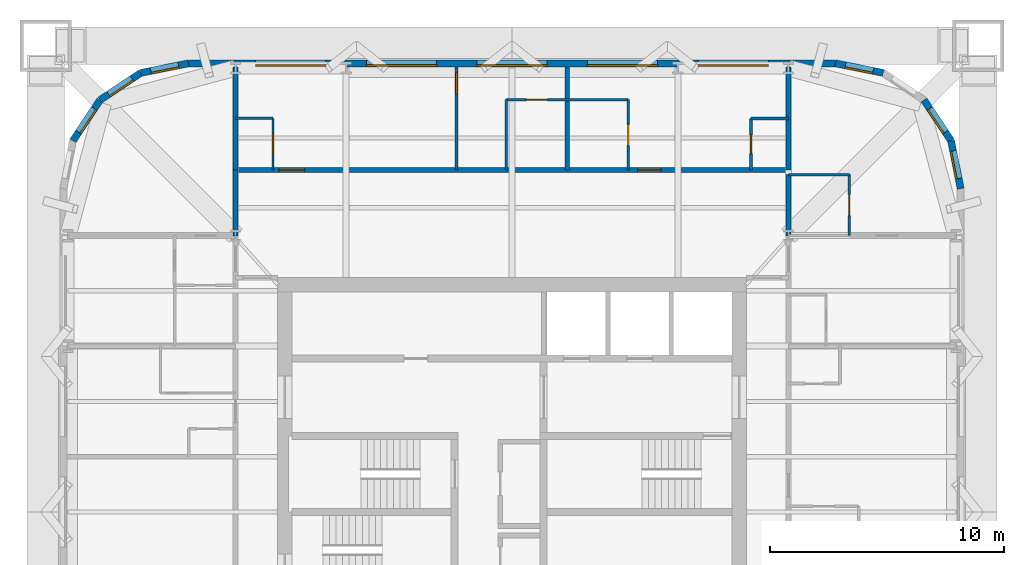
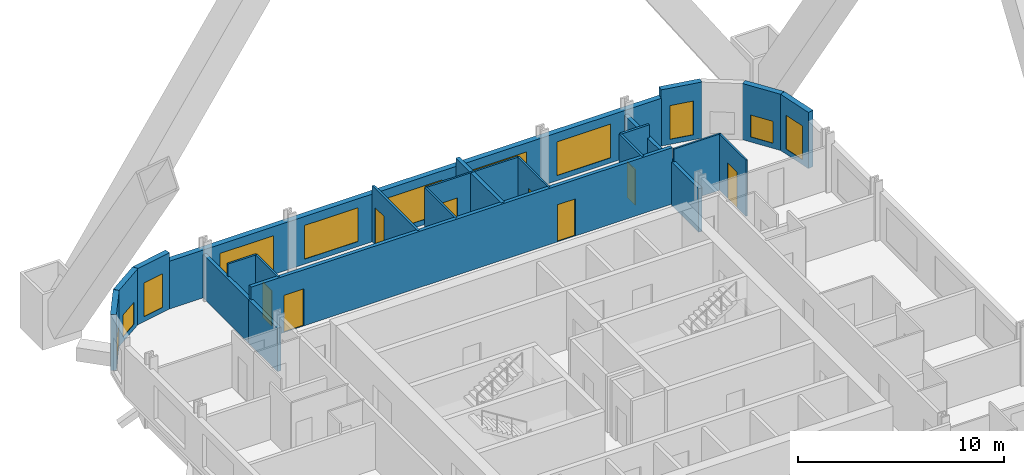
# One storey, part 7 of 9: 23 walls, 11 windows, 8 doors, 19 openings.
"""IFC4 building model written with IfcOpenShell, lengths in metres."""

from ifc_helpers import new_model, si_unit, direction, frame, frame_2d, origin, place, context, subcontext, project, spatial, rectangle, extrude, material, layer, layer_set, type_object, element, fill, save


model = new_model("IFC4")

# Units and contexts
model_context = context("Model", 3, precision=1e-05, world=origin(), true_north=direction((0.0, 1.0)))
body_context = subcontext(model_context, "Body", "Model", "MODEL_VIEW")
ifc_project = project(units=[si_unit("LENGTHUNIT", "METRE"), si_unit("AREAUNIT", "SQUARE_METRE"), si_unit("VOLUMEUNIT", "CUBIC_METRE"), si_unit("PLANEANGLEUNIT", "RADIAN"), si_unit("MASSUNIT", "GRAM", prefix="KILO")], contexts=[model_context])

# Site, building, storey
site_placement = place(None, origin())
site = spatial("IfcSite", under=ifc_project, at=site_placement, CompositionType="ELEMENT")
building_placement = place(site_placement, origin())
building = spatial("IfcBuilding", under=site, at=building_placement, Name="Turquesa Mirador Hotel Tower", CompositionType="ELEMENT")
storey_placement = place(building_placement, frame((0.0, 0.0, 161.800048828125)))
storey = spatial("IfcBuildingStorey", under=building, at=storey_placement, Name="L43", CompositionType="ELEMENT", Elevation=161.800048828125)

# Walls
ifc_material_1 = material(Name="Gypsum board on steel studs", Category="steel")
ifc_layer_1 = layer(ifc_material_1, 0.10009765625)
ifc_layer_set_1 = layer_set([ifc_layer_1], Name="BATHROOM WALL 100")
wall_type_1 = type_object("IfcWallType", Name="BATHROOM WALL 100", PredefinedType="PARTITIONING", material=ifc_layer_set_1)
wall_1_placement = place(storey_placement, frame((66.800048828125, 59.39990234375, 0.0), z_axis=(0.0, 0.0, 1.0), x_axis=(1.0, 0.0, 0.0)))
element("IfcWall", 1, at=wall_1_placement, inside=storey, type_object=wall_type_1, Name="Partition L43 026", PredefinedType="PARTITIONING", context=body_context, shape_type="SweptSolid", body=[
    extrude(rectangle(XDim=2.599853515625, YDim=0.10009765625, at=frame_2d((1.2998046875, 0.0))), origin(), (0.0, 0.0, 1.0), 3.329833984375),
])
wall_2_placement = place(storey_placement, frame((43.199951171875, 61.800048828125, 0.0), z_axis=(0.0, 0.0, 1.0), x_axis=(1.0, 0.0, 0.0)))
element("IfcWall", 2, at=wall_2_placement, inside=storey, type_object=wall_type_1, Name="Partition L43 028", PredefinedType="PARTITIONING", context=body_context, shape_type="SweptSolid", body=[
    extrude(rectangle(XDim=1.60009765625, YDim=0.10009765625, at=frame_2d((0.800048828125, 0.0))), origin(), (0.0, 0.0, 1.0), 3.329833984375),
])

# Wall, opening, door
wall_3_placement = place(storey_placement, frame((54.760009765625, 62.60009765625, 0.0), z_axis=(0.0, 0.0, 1.0), x_axis=(1.0, 0.0, 0.0)))
wall_3 = element("IfcWall", 3, at=wall_3_placement, inside=storey, type_object=wall_type_1, Name="Partition L43 030", PredefinedType="PARTITIONING", context=body_context, shape_type="SweptSolid", body=[
    extrude(rectangle(XDim=5.199951171875, YDim=0.10009765625, at=frame_2d((2.60009765625, 0.0))), origin(), (0.0, 0.0, 1.0), 3.329833984375),
])
opening_1_placement = place(wall_3_placement, frame((0.85009765625, 0.0, 0.0)))
opening_1 = element("IfcOpeningElement", 4, at=opening_1_placement, cuts=wall_3, Name="Opening D02", PredefinedType="OPENING", context=body_context, shape_type="SweptSolid", body=[
    extrude(rectangle(XDim=0.89990234375, YDim=2.10009765625, at=frame_2d((0.449951171875, 1.050048828125))), frame((0.0, 0.06005859375, 0.0), z_axis=(0.0, -1.0, 0.0), x_axis=(1.0, 0.0, 0.0)), (0.0, 0.0, 1.0), 0.1201171875),
])
ifc_material_2 = material(Name="Timber veneered door", Category="wood")
door_type_1 = type_object("IfcDoorType", Name="DOOR 900X2100 EN-SUITE", OperationType="SINGLE_SWING_RIGHT", PredefinedType="DOOR", material=ifc_material_2)
door_1_placement = place(opening_1_placement, origin())
door_1 = element("IfcDoor", 5, at=door_1_placement, inside=storey, type_object=door_type_1, Name="Door 4301B", OperationType="SINGLE_SWING_RIGHT", OverallHeight=2.10009765625, OverallWidth=0.89990234375, PredefinedType="DOOR", context=body_context, shape_type="SweptSolid", body=[
    extrude(rectangle(XDim=0.89990234375, YDim=2.10009765625, at=frame_2d((0.449951171875, 1.050048828125))), frame((0.0, 0.02490234375, 0.0), z_axis=(0.0, -1.0, 0.0), x_axis=(1.0, 0.0, 0.0)), (0.0, 0.0, 1.0), 0.050048828125),
])
fill(opening_1, door_1)

# Wall
wall_4_placement = place(storey_placement, frame((54.760009765625, 59.60009765625, 0.0), z_axis=(0.0, 0.0, 1.0), x_axis=(0.0, 1.0, 0.0)))
element("IfcWall", 6, at=wall_4_placement, inside=storey, type_object=wall_type_1, Name="Partition L43 039", PredefinedType="PARTITIONING", context=body_context, shape_type="SweptSolid", body=[
    extrude(rectangle(XDim=3.0, YDim=0.10009765625, at=frame_2d((1.5, 0.0))), origin(), (0.0, 0.0, 1.0), 3.329833984375),
])

# Wall, opening, door
wall_5_placement = place(storey_placement, frame((44.800048828125, 59.60009765625, 0.0), z_axis=(0.0, 0.0, 1.0), x_axis=(0.0, 1.0, 0.0)))
wall_5 = element("IfcWall", 7, at=wall_5_placement, inside=storey, type_object=wall_type_1, Name="Partition L43 041", PredefinedType="PARTITIONING", context=body_context, shape_type="SweptSolid", body=[
    extrude(rectangle(XDim=2.199951171875, YDim=0.10009765625, at=frame_2d((1.10009765625, 0.0))), origin(), (0.0, 0.0, 1.0), 3.329833984375),
])
opening_2_placement = place(wall_5_placement, frame((0.64990234375, 0.0, 0.0)))
opening_2 = element("IfcOpeningElement", 8, at=opening_2_placement, cuts=wall_5, Name="Opening D06", PredefinedType="OPENING", context=body_context, shape_type="SweptSolid", body=[
    extrude(rectangle(XDim=0.89990234375, YDim=2.10009765625, at=frame_2d((0.449951171875, 1.050048828125))), frame((0.0, 0.06005859375, 0.0), z_axis=(0.0, -1.0, 0.0), x_axis=(1.0, 0.0, 0.0)), (0.0, 0.0, 1.0), 0.1201171875),
])
ifc_material_3 = material(Name="Laminate door", Category="wood")
door_type_2 = type_object("IfcDoorType", Name="DOOR 900X2100 WC", OperationType="SINGLE_SWING_LEFT", PredefinedType="DOOR", material=ifc_material_3)
door_2_placement = place(opening_2_placement, origin())
door_2 = element("IfcDoor", 9, at=door_2_placement, inside=storey, type_object=door_type_2, Name="Door 4301W", OperationType="SINGLE_SWING_LEFT", OverallHeight=2.10009765625, OverallWidth=0.89990234375, PredefinedType="DOOR", context=body_context, shape_type="SweptSolid", body=[
    extrude(rectangle(XDim=0.89990234375, YDim=2.10009765625, at=frame_2d((0.449951171875, 1.050048828125))), frame((0.0, 0.02490234375, 0.0), z_axis=(0.0, -1.0, 0.0), x_axis=(1.0, 0.0, 0.0)), (0.0, 0.0, 1.0), 0.050048828125),
])
fill(opening_2, door_2)

wall_6_placement = place(storey_placement, frame((69.39990234375, 56.800048828125, 0.0), z_axis=(0.0, 0.0, 1.0), x_axis=(0.0, 1.0, 0.0)))
wall_6 = element("IfcWall", 10, at=wall_6_placement, inside=storey, type_object=wall_type_1, Name="Partition L43 066", PredefinedType="PARTITIONING", context=body_context, shape_type="SweptSolid", body=[
    extrude(rectangle(XDim=2.599853515625, YDim=0.10009765625, at=frame_2d((1.2998046875, 0.0))), origin(), (0.0, 0.0, 1.0), 3.329833984375),
])
opening_3_placement = place(wall_6_placement, frame((0.85009765625, 0.0, 0.0)))
opening_3 = element("IfcOpeningElement", 11, at=opening_3_placement, cuts=wall_6, Name="Opening D02", PredefinedType="OPENING", context=body_context, shape_type="SweptSolid", body=[
    extrude(rectangle(XDim=0.89990234375, YDim=2.10009765625, at=frame_2d((0.449951171875, 1.050048828125))), frame((0.0, 0.06005859375, 0.0), z_axis=(0.0, -1.0, 0.0), x_axis=(1.0, 0.0, 0.0)), (0.0, 0.0, 1.0), 0.1201171875),
])
door_3_placement = place(opening_3_placement, origin())
door_3 = element("IfcDoor", 12, at=door_3_placement, inside=storey, type_object=door_type_1, Name="Door 4309B", OperationType="SINGLE_SWING_RIGHT", OverallHeight=2.10009765625, OverallWidth=0.89990234375, PredefinedType="DOOR", context=body_context, shape_type="SweptSolid", body=[
    extrude(rectangle(XDim=0.89990234375, YDim=2.10009765625, at=frame_2d((0.449951171875, 1.050048828125))), frame((0.0, 0.02490234375, 0.0), z_axis=(0.0, -1.0, 0.0), x_axis=(1.0, 0.0, 0.0)), (0.0, 0.0, 1.0), 0.050048828125),
])
fill(opening_3, door_3)

wall_7_placement = place(storey_placement, frame((59.9599609375, 59.60009765625, 0.0), z_axis=(0.0, 0.0, 1.0), x_axis=(0.0, 1.0, 0.0)))
wall_7 = element("IfcWall", 13, at=wall_7_placement, inside=storey, type_object=wall_type_1, Name="Partition L43 072", PredefinedType="PARTITIONING", context=body_context, shape_type="SweptSolid", body=[
    extrude(rectangle(XDim=3.0, YDim=0.10009765625, at=frame_2d((1.5, 0.0))), origin(), (0.0, 0.0, 1.0), 3.329833984375),
])
opening_4_placement = place(wall_7_placement, frame((1.050048828125, 0.0, 0.0)))
opening_4 = element("IfcOpeningElement", 14, at=opening_4_placement, cuts=wall_7, Name="Opening D02", PredefinedType="OPENING", context=body_context, shape_type="SweptSolid", body=[
    extrude(rectangle(XDim=0.89990234375, YDim=2.10009765625, at=frame_2d((0.449951171875, 1.050048828125))), frame((0.0, 0.06005859375, 0.0), z_axis=(0.0, -1.0, 0.0), x_axis=(1.0, 0.0, 0.0)), (0.0, 0.0, 1.0), 0.1201171875),
])
door_4_placement = place(opening_4_placement, origin())
door_4 = element("IfcDoor", 15, at=door_4_placement, inside=storey, type_object=door_type_1, Name="Door 4302B", OperationType="SINGLE_SWING_RIGHT", OverallHeight=2.10009765625, OverallWidth=0.89990234375, PredefinedType="DOOR", context=body_context, shape_type="SweptSolid", body=[
    extrude(rectangle(XDim=0.89990234375, YDim=2.10009765625, at=frame_2d((0.449951171875, 1.050048828125))), frame((0.0, 0.02490234375, 0.0), z_axis=(0.0, -1.0, 0.0), x_axis=(1.0, 0.0, 0.0)), (0.0, 0.0, 1.0), 0.050048828125),
])
fill(opening_4, door_4)

# Wall, openings, doors
ifc_material_4 = material(Name="Fire-rated gypsum board on steel studs", Category="steel")
ifc_layer_2 = layer(ifc_material_4, 0.199951171875)
ifc_layer_set_2 = layer_set([ifc_layer_2], Name="CORRIDOR WALL 200")
wall_type_2 = type_object("IfcWallType", Name="CORRIDOR WALL 200", PredefinedType="PARTITIONING", material=ifc_layer_set_2)
wall_8_placement = place(storey_placement, frame((43.199951171875, 59.60009765625, 0.0), z_axis=(0.0, 0.0, 1.0), x_axis=(1.0, 0.0, 0.0)))
wall_8 = element("IfcWall", 16, at=wall_8_placement, inside=storey, type_object=wall_type_2, Name="Partition L43 027", PredefinedType="PARTITIONING", context=body_context, shape_type="SweptSolid", body=[
    extrude(rectangle(XDim=23.60009765625, YDim=0.199951171875, at=frame_2d((11.800048828125, 0.0))), origin(), (0.0, 0.0, 1.0), 3.329833984375),
])
opening_5_placement = place(wall_8_placement, frame((1.85009765625, 0.0, 0.0)))
opening_5 = element("IfcOpeningElement", 17, at=opening_5_placement, cuts=wall_8, Name="Opening D15", PredefinedType="OPENING", context=body_context, shape_type="SweptSolid", body=[
    extrude(rectangle(XDim=1.10009765625, YDim=2.199951171875, at=frame_2d((0.550048828125, 1.10009765625))), frame((0.0, 0.10986328125, 0.0), z_axis=(0.0, -1.0, 0.0), x_axis=(1.0, 0.0, 0.0)), (0.0, 0.0, 1.0), 0.219970703125),
])
opening_6_placement = place(wall_8_placement, frame((17.159912109375, 0.0, 0.0)))
opening_6 = element("IfcOpeningElement", 18, at=opening_6_placement, cuts=wall_8, Name="Opening D01", PredefinedType="OPENING", context=body_context, shape_type="SweptSolid", body=[
    extrude(rectangle(XDim=1.0, YDim=2.199951171875, at=frame_2d((0.5, 1.10009765625))), frame((0.0, 0.10986328125, 0.0), z_axis=(0.0, -1.0, 0.0), x_axis=(1.0, 0.0, 0.0)), (0.0, 0.0, 1.0), 0.219970703125),
])
ifc_material_5 = material(Name="Timber veneered fire door", Category="wood")
door_type_3 = type_object("IfcDoorType", Name="DOOR 1000X2200 GUEST ENTRY", OperationType="SINGLE_SWING_LEFT", PredefinedType="DOOR", material=ifc_material_5)
door_5_placement = place(opening_6_placement, origin())
door_5 = element("IfcDoor", 19, at=door_5_placement, inside=storey, type_object=door_type_3, Name="Door 4302", OperationType="SINGLE_SWING_LEFT", OverallHeight=2.199951171875, OverallWidth=1.0, PredefinedType="DOOR", context=body_context, shape_type="SweptSolid", body=[
    extrude(rectangle(XDim=1.0, YDim=2.199951171875, at=frame_2d((0.5, 1.10009765625))), frame((0.0, 0.02490234375, 0.0), z_axis=(0.0, -1.0, 0.0), x_axis=(1.0, 0.0, 0.0)), (0.0, 0.0, 1.0), 0.050048828125),
])
fill(opening_6, door_5)
ifc_material_6 = material(Name="Timber veneered fire door", Category="wood")
door_type_4 = type_object("IfcDoorType", Name="DOOR 1100X2200 SUITE ENTRY", OperationType="SINGLE_SWING_LEFT", PredefinedType="DOOR", material=ifc_material_6)
door_6_placement = place(opening_5_placement, origin())
door_6 = element("IfcDoor", 20, at=door_6_placement, inside=storey, type_object=door_type_4, Name="Door 4301", OperationType="SINGLE_SWING_LEFT", OverallHeight=2.199951171875, OverallWidth=1.10009765625, PredefinedType="DOOR", context=body_context, shape_type="SweptSolid", body=[
    extrude(rectangle(XDim=1.10009765625, YDim=2.199951171875, at=frame_2d((0.550048828125, 1.10009765625))), frame((0.0, 0.02490234375, 0.0), z_axis=(0.0, -1.0, 0.0), x_axis=(1.0, 0.0, 0.0)), (0.0, 0.0, 1.0), 0.050048828125),
])
fill(opening_5, door_6)

# Walls
wall_9_placement = place(storey_placement, frame((43.199951171875, 56.780029296875, 0.0), z_axis=(0.0, 0.0, 1.0), x_axis=(0.0, 1.0, 0.0)))
element("IfcWall", 21, at=wall_9_placement, inside=storey, type_object=wall_type_2, Name="Partition L43 074", PredefinedType="PARTITIONING", context=body_context, shape_type="SweptSolid", body=[
    extrude(rectangle(XDim=2.820068359375, YDim=0.199951171875, at=frame_2d((1.41015625, 0.0))), origin(), (0.0, 0.0, 1.0), 2.572998046875),
])
wall_10_placement = place(storey_placement, frame((66.800048828125, 56.780029296875, 0.0), z_axis=(0.0, 0.0, 1.0), x_axis=(0.0, 1.0, 0.0)))
element("IfcWall", 22, at=wall_10_placement, inside=storey, type_object=wall_type_2, Name="Partition L43 076", PredefinedType="PARTITIONING", context=body_context, shape_type="SweptSolid", body=[
    extrude(rectangle(XDim=2.619873046875, YDim=0.199951171875, at=frame_2d((1.31005859375, 0.0))), origin(), (0.0, 0.0, 1.0), 2.572998046875),
])

# Wall, opening, window
ifc_material_7 = material(Name="Limestone cladding on concrete block", Category="masonry")
ifc_layer_3 = layer(ifc_material_7, 0.300048828125)
ifc_layer_set_3 = layer_set([ifc_layer_3], Name="FACADE WALL 300 STONE SCREEN")
wall_type_3 = type_object("IfcWallType", Name="FACADE WALL 300 STONE SCREEN", PredefinedType="SOLIDWALL", material=ifc_layer_set_3)
wall_11_placement = place(storey_placement, frame((74.14990234375, 58.800048828125, 0.0), z_axis=(0.0, 0.0, 1.0), x_axis=(-0.195081421501, 0.980787050784, 0.0)))
wall_11 = element("IfcWall", 23, at=wall_11_placement, inside=storey, type_object=wall_type_3, Name="Facade wall L43 05", PredefinedType="SOLIDWALL", context=body_context, shape_type="SweptSolid", body=[
    extrude(rectangle(XDim=2.08740234375, YDim=0.300048828125, at=frame_2d((1.043701171875, 0.0))), origin(), (0.0, 0.0, 1.0), 3.329833984375),
])
opening_7_placement = place(wall_11_placement, frame((0.443603515625, 0.0, 0.300048828125)))
opening_7 = element("IfcOpeningElement", 24, at=opening_7_placement, cuts=wall_11, Name="Opening WN4", PredefinedType="OPENING", context=body_context, shape_type="SweptSolid", body=[
    extrude(rectangle(XDim=1.199951171875, YDim=2.0, at=frame_2d((0.60009765625, 1.0))), frame((0.0, 0.159912109375, 0.0), z_axis=(0.0, -1.0, 0.0), x_axis=(1.0, 0.0, 0.0)), (0.0, 0.0, 1.0), 0.320068359375),
])
ifc_material_8 = material(Name="Ceramic-fritted laminated glass", Category="glass")
window_type_1 = type_object("IfcWindowType", Name="FRITTED CORNER WINDOW 1200X2000", PartitioningType="DOUBLE_PANEL_HORIZONTAL", PredefinedType="WINDOW", material=ifc_material_8)
window_1_placement = place(opening_7_placement, origin())
window_1 = element("IfcWindow", 25, at=window_1_placement, inside=storey, type_object=window_type_1, Name="Window L43", OverallHeight=2.0, OverallWidth=1.199951171875, PartitioningType="SINGLE_PANEL", PredefinedType="WINDOW", context=body_context, shape_type="SweptSolid", body=[
    extrude(rectangle(XDim=1.199951171875, YDim=2.0, at=frame_2d((0.60009765625, 1.0))), frame((0.0, 0.130126953125, 0.0), z_axis=(0.0, -1.0, 0.0), x_axis=(1.0, 0.0, 0.0)), (0.0, 0.0, 1.0), 0.06005859375),
])
fill(opening_7, window_1)

wall_12_placement = place(storey_placement, frame((73.74267578125, 60.847412109375, 0.0), z_axis=(0.0, 0.0, 1.0), x_axis=(-0.555563607591, 0.831474039234, 0.0)))
wall_12 = element("IfcWall", 26, at=wall_12_placement, inside=storey, type_object=wall_type_3, Name="Facade wall L43 06", PredefinedType="SOLIDWALL", context=body_context, shape_type="SweptSolid", body=[
    extrude(rectangle(XDim=2.08740234375, YDim=0.300048828125, at=frame_2d((1.043701171875, 0.0))), origin(), (0.0, 0.0, 1.0), 3.329833984375),
])
opening_8_placement = place(wall_12_placement, frame((0.443603515625, 0.0, 0.300048828125)))
opening_8 = element("IfcOpeningElement", 27, at=opening_8_placement, cuts=wall_12, Name="Opening WN24", PredefinedType="OPENING", context=body_context, shape_type="SweptSolid", body=[
    extrude(rectangle(XDim=1.199951171875, YDim=1.300048828125, at=frame_2d((0.60009765625, 0.64990234375))), frame((0.0, 0.159912109375, 0.0), z_axis=(0.0, -1.0, 0.0), x_axis=(1.0, 0.0, 0.0)), (0.0, 0.0, 1.0), 0.320068359375),
])
ifc_material_9 = material(Name="Ceramic-fritted laminated glass", Category="glass")
window_type_2 = type_object("IfcWindowType", Name="FRITTED CORNER WINDOW 1200X1300", PartitioningType="DOUBLE_PANEL_HORIZONTAL", PredefinedType="WINDOW", material=ifc_material_9)
window_2_placement = place(opening_8_placement, origin())
window_2 = element("IfcWindow", 28, at=window_2_placement, inside=storey, type_object=window_type_2, Name="Window L43", OverallHeight=1.300048828125, OverallWidth=1.199951171875, PartitioningType="SINGLE_PANEL", PredefinedType="WINDOW", context=body_context, shape_type="SweptSolid", body=[
    extrude(rectangle(XDim=1.199951171875, YDim=1.300048828125, at=frame_2d((0.60009765625, 0.64990234375))), frame((0.0, 0.130126953125, 0.0), z_axis=(0.0, -1.0, 0.0), x_axis=(1.0, 0.0, 0.0)), (0.0, 0.0, 1.0), 0.06005859375),
])
fill(opening_8, window_2)

wall_13_placement = place(storey_placement, frame((70.847412109375, 63.74267578125, 0.0), z_axis=(0.0, 0.0, 1.0), x_axis=(-0.980787050784, 0.195081421501, 0.0)))
wall_13 = element("IfcWall", 29, at=wall_13_placement, inside=storey, type_object=wall_type_3, Name="Facade wall L43 08", PredefinedType="SOLIDWALL", context=body_context, shape_type="SweptSolid", body=[
    extrude(rectangle(XDim=2.08740234375, YDim=0.300048828125, at=frame_2d((1.043701171875, 0.0))), origin(), (0.0, 0.0, 1.0), 3.329833984375),
])
opening_9_placement = place(wall_13_placement, frame((0.443603515625, 0.0, 0.300048828125)))
opening_9 = element("IfcOpeningElement", 30, at=opening_9_placement, cuts=wall_13, Name="Opening WN4", PredefinedType="OPENING", context=body_context, shape_type="SweptSolid", body=[
    extrude(rectangle(XDim=1.199951171875, YDim=2.0, at=frame_2d((0.60009765625, 1.0))), frame((0.0, 0.159912109375, 0.0), z_axis=(0.0, -1.0, 0.0), x_axis=(1.0, 0.0, 0.0)), (0.0, 0.0, 1.0), 0.320068359375),
])
window_3_placement = place(opening_9_placement, origin())
window_3 = element("IfcWindow", 31, at=window_3_placement, inside=storey, type_object=window_type_1, Name="Window L43", OverallHeight=2.0, OverallWidth=1.199951171875, PartitioningType="SINGLE_PANEL", PredefinedType="WINDOW", context=body_context, shape_type="SweptSolid", body=[
    extrude(rectangle(XDim=1.199951171875, YDim=2.0, at=frame_2d((0.60009765625, 1.0))), frame((0.0, 0.130126953125, 0.0), z_axis=(0.0, -1.0, 0.0), x_axis=(1.0, 0.0, 0.0)), (0.0, 0.0, 1.0), 0.06005859375),
])
fill(opening_9, window_3)

# Wall, openings, windows
wall_14_placement = place(storey_placement, frame((68.800048828125, 64.14990234375, 0.0), z_axis=(0.0, 0.0, 1.0), x_axis=(-1.0, 0.0, 0.0)))
wall_14 = element("IfcWall", 32, at=wall_14_placement, inside=storey, type_object=wall_type_3, Name="Facade wall L43 09", PredefinedType="SOLIDWALL", context=body_context, shape_type="SweptSolid", body=[
    extrude(rectangle(XDim=27.60009765625, YDim=0.300048828125, at=frame_2d((13.800048828125, 0.0))), origin(), (0.0, 0.0, 1.0), 2.829833984375),
])
opening_10_placement = place(wall_14_placement, frame((2.860107421875, 0.0, 0.300048828125)))
opening_10 = element("IfcOpeningElement", 33, at=opening_10_placement, cuts=wall_14, Name="Opening WN1", PredefinedType="OPENING", context=body_context, shape_type="SweptSolid", body=[
    extrude(rectangle(XDim=3.0, YDim=2.0, at=frame_2d((1.5, 1.0))), frame((0.0, 0.159912109375, 0.0), z_axis=(0.0, -1.0, 0.0), x_axis=(1.0, 0.0, 0.0)), (0.0, 0.0, 1.0), 0.320068359375),
])
opening_11_placement = place(wall_14_placement, frame((7.580078125, 0.0, 0.300048828125)))
opening_11 = element("IfcOpeningElement", 34, at=opening_11_placement, cuts=wall_14, Name="Opening WN1", PredefinedType="OPENING", context=body_context, shape_type="SweptSolid", body=[
    extrude(rectangle(XDim=3.0, YDim=2.0, at=frame_2d((1.5, 1.0))), frame((0.0, 0.159912109375, 0.0), z_axis=(0.0, -1.0, 0.0), x_axis=(1.0, 0.0, 0.0)), (0.0, 0.0, 1.0), 0.320068359375),
])
opening_12_placement = place(wall_14_placement, frame((12.300048828125, 0.0, 0.300048828125)))
opening_12 = element("IfcOpeningElement", 35, at=opening_12_placement, cuts=wall_14, Name="Opening WN1", PredefinedType="OPENING", context=body_context, shape_type="SweptSolid", body=[
    extrude(rectangle(XDim=3.0, YDim=2.0, at=frame_2d((1.5, 1.0))), frame((0.0, 0.159912109375, 0.0), z_axis=(0.0, -1.0, 0.0), x_axis=(1.0, 0.0, 0.0)), (0.0, 0.0, 1.0), 0.320068359375),
])
opening_13_placement = place(wall_14_placement, frame((17.02001953125, 0.0, 0.300048828125)))
opening_13 = element("IfcOpeningElement", 36, at=opening_13_placement, cuts=wall_14, Name="Opening WN1", PredefinedType="OPENING", context=body_context, shape_type="SweptSolid", body=[
    extrude(rectangle(XDim=3.0, YDim=2.0, at=frame_2d((1.5, 1.0))), frame((0.0, 0.159912109375, 0.0), z_axis=(0.0, -1.0, 0.0), x_axis=(1.0, 0.0, 0.0)), (0.0, 0.0, 1.0), 0.320068359375),
])
opening_14_placement = place(wall_14_placement, frame((21.739990234375, 0.0, 0.300048828125)))
opening_14 = element("IfcOpeningElement", 37, at=opening_14_placement, cuts=wall_14, Name="Opening WN1", PredefinedType="OPENING", context=body_context, shape_type="SweptSolid", body=[
    extrude(rectangle(XDim=3.0, YDim=2.0, at=frame_2d((1.5, 1.0))), frame((0.0, 0.159912109375, 0.0), z_axis=(0.0, -1.0, 0.0), x_axis=(1.0, 0.0, 0.0)), (0.0, 0.0, 1.0), 0.320068359375),
])
ifc_material_10 = material(Name="Ceramic-fritted laminated glass", Category="glass")
window_type_3 = type_object("IfcWindowType", Name="FRITTED WINDOW 3000X2000", PartitioningType="DOUBLE_PANEL_HORIZONTAL", PredefinedType="WINDOW", material=ifc_material_10)
window_4_placement = place(opening_10_placement, origin())
window_4 = element("IfcWindow", 38, at=window_4_placement, inside=storey, type_object=window_type_3, Name="Window L43", OverallHeight=2.0, OverallWidth=3.0, PartitioningType="SINGLE_PANEL", PredefinedType="WINDOW", context=body_context, shape_type="SweptSolid", body=[
    extrude(rectangle(XDim=3.0, YDim=2.0, at=frame_2d((1.5, 1.0))), frame((0.0, 0.130126953125, 0.0), z_axis=(0.0, -1.0, 0.0), x_axis=(1.0, 0.0, 0.0)), (0.0, 0.0, 1.0), 0.06005859375),
])
fill(opening_10, window_4)
window_5_placement = place(opening_11_placement, origin())
window_5 = element("IfcWindow", 39, at=window_5_placement, inside=storey, type_object=window_type_3, Name="Window L43", OverallHeight=2.0, OverallWidth=3.0, PartitioningType="SINGLE_PANEL", PredefinedType="WINDOW", context=body_context, shape_type="SweptSolid", body=[
    extrude(rectangle(XDim=3.0, YDim=2.0, at=frame_2d((1.5, 1.0))), frame((0.0, 0.130126953125, 0.0), z_axis=(0.0, -1.0, 0.0), x_axis=(1.0, 0.0, 0.0)), (0.0, 0.0, 1.0), 0.06005859375),
])
fill(opening_11, window_5)
window_6_placement = place(opening_12_placement, origin())
window_6 = element("IfcWindow", 40, at=window_6_placement, inside=storey, type_object=window_type_3, Name="Window L43", OverallHeight=2.0, OverallWidth=3.0, PartitioningType="SINGLE_PANEL", PredefinedType="WINDOW", context=body_context, shape_type="SweptSolid", body=[
    extrude(rectangle(XDim=3.0, YDim=2.0, at=frame_2d((1.5, 1.0))), frame((0.0, 0.130126953125, 0.0), z_axis=(0.0, -1.0, 0.0), x_axis=(1.0, 0.0, 0.0)), (0.0, 0.0, 1.0), 0.06005859375),
])
fill(opening_12, window_6)
window_7_placement = place(opening_13_placement, origin())
window_7 = element("IfcWindow", 41, at=window_7_placement, inside=storey, type_object=window_type_3, Name="Window L43", OverallHeight=2.0, OverallWidth=3.0, PartitioningType="SINGLE_PANEL", PredefinedType="WINDOW", context=body_context, shape_type="SweptSolid", body=[
    extrude(rectangle(XDim=3.0, YDim=2.0, at=frame_2d((1.5, 1.0))), frame((0.0, 0.130126953125, 0.0), z_axis=(0.0, -1.0, 0.0), x_axis=(1.0, 0.0, 0.0)), (0.0, 0.0, 1.0), 0.06005859375),
])
fill(opening_13, window_7)
window_8_placement = place(opening_14_placement, origin())
window_8 = element("IfcWindow", 42, at=window_8_placement, inside=storey, type_object=window_type_3, Name="Window L43", OverallHeight=2.0, OverallWidth=3.0, PartitioningType="SINGLE_PANEL", PredefinedType="WINDOW", context=body_context, shape_type="SweptSolid", body=[
    extrude(rectangle(XDim=3.0, YDim=2.0, at=frame_2d((1.5, 1.0))), frame((0.0, 0.130126953125, 0.0), z_axis=(0.0, -1.0, 0.0), x_axis=(1.0, 0.0, 0.0)), (0.0, 0.0, 1.0), 0.06005859375),
])
fill(opening_14, window_8)

# Wall, opening, window
wall_15_placement = place(storey_placement, frame((41.199951171875, 64.14990234375, 0.0), z_axis=(0.0, 0.0, 1.0), x_axis=(-0.980787050784, -0.195081421501, 0.0)))
wall_15 = element("IfcWall", 43, at=wall_15_placement, inside=storey, type_object=wall_type_3, Name="Facade wall L43 10", PredefinedType="SOLIDWALL", context=body_context, shape_type="SweptSolid", body=[
    extrude(rectangle(XDim=2.08740234375, YDim=0.300048828125, at=frame_2d((1.043701171875, 0.0))), origin(), (0.0, 0.0, 1.0), 3.329833984375),
])
opening_15_placement = place(wall_15_placement, frame((0.443603515625, 0.0, 0.300048828125)))
opening_15 = element("IfcOpeningElement", 44, at=opening_15_placement, cuts=wall_15, Name="Opening WN4", PredefinedType="OPENING", context=body_context, shape_type="SweptSolid", body=[
    extrude(rectangle(XDim=1.199951171875, YDim=2.0, at=frame_2d((0.60009765625, 1.0))), frame((0.0, 0.159912109375, 0.0), z_axis=(0.0, -1.0, 0.0), x_axis=(1.0, 0.0, 0.0)), (0.0, 0.0, 1.0), 0.320068359375),
])
window_9_placement = place(opening_15_placement, origin())
window_9 = element("IfcWindow", 45, at=window_9_placement, inside=storey, type_object=window_type_1, Name="Window L43", OverallHeight=2.0, OverallWidth=1.199951171875, PartitioningType="SINGLE_PANEL", PredefinedType="WINDOW", context=body_context, shape_type="SweptSolid", body=[
    extrude(rectangle(XDim=1.199951171875, YDim=2.0, at=frame_2d((0.60009765625, 1.0))), frame((0.0, 0.130126953125, 0.0), z_axis=(0.0, -1.0, 0.0), x_axis=(1.0, 0.0, 0.0)), (0.0, 0.0, 1.0), 0.06005859375),
])
fill(opening_15, window_9)

wall_16_placement = place(storey_placement, frame((39.152587890625, 63.74267578125, 0.0), z_axis=(0.0, 0.0, 1.0), x_axis=(-0.831474039234, -0.555563607591, 0.0)))
wall_16 = element("IfcWall", 46, at=wall_16_placement, inside=storey, type_object=wall_type_3, Name="Facade wall L43 11", PredefinedType="SOLIDWALL", context=body_context, shape_type="SweptSolid", body=[
    extrude(rectangle(XDim=2.08740234375, YDim=0.300048828125, at=frame_2d((1.043701171875, 0.0))), origin(), (0.0, 0.0, 1.0), 3.329833984375),
])
opening_16_placement = place(wall_16_placement, frame((0.443603515625, 0.0, 0.300048828125)))
opening_16 = element("IfcOpeningElement", 47, at=opening_16_placement, cuts=wall_16, Name="Opening WN24", PredefinedType="OPENING", context=body_context, shape_type="SweptSolid", body=[
    extrude(rectangle(XDim=1.199951171875, YDim=1.300048828125, at=frame_2d((0.60009765625, 0.64990234375))), frame((0.0, 0.159912109375, 0.0), z_axis=(0.0, -1.0, 0.0), x_axis=(1.0, 0.0, 0.0)), (0.0, 0.0, 1.0), 0.320068359375),
])
window_10_placement = place(opening_16_placement, origin())
window_10 = element("IfcWindow", 48, at=window_10_placement, inside=storey, type_object=window_type_2, Name="Window L43", OverallHeight=1.300048828125, OverallWidth=1.199951171875, PartitioningType="SINGLE_PANEL", PredefinedType="WINDOW", context=body_context, shape_type="SweptSolid", body=[
    extrude(rectangle(XDim=1.199951171875, YDim=1.300048828125, at=frame_2d((0.60009765625, 0.64990234375))), frame((0.0, 0.130126953125, 0.0), z_axis=(0.0, -1.0, 0.0), x_axis=(1.0, 0.0, 0.0)), (0.0, 0.0, 1.0), 0.06005859375),
])
fill(opening_16, window_10)

wall_17_placement = place(storey_placement, frame((37.4169921875, 62.5830078125, 0.0), z_axis=(0.0, 0.0, 1.0), x_axis=(-0.555563607591, -0.831474039234, 0.0)))
wall_17 = element("IfcWall", 49, at=wall_17_placement, inside=storey, type_object=wall_type_3, Name="Facade wall L43 12", PredefinedType="SOLIDWALL", context=body_context, shape_type="SweptSolid", body=[
    extrude(rectangle(XDim=2.08740234375, YDim=0.300048828125, at=frame_2d((1.043701171875, 0.0))), origin(), (0.0, 0.0, 1.0), 3.329833984375),
])
opening_17_placement = place(wall_17_placement, frame((0.443603515625, 0.0, 0.300048828125)))
opening_17 = element("IfcOpeningElement", 50, at=opening_17_placement, cuts=wall_17, Name="Opening WN24", PredefinedType="OPENING", context=body_context, shape_type="SweptSolid", body=[
    extrude(rectangle(XDim=1.199951171875, YDim=1.300048828125, at=frame_2d((0.60009765625, 0.64990234375))), frame((0.0, 0.159912109375, 0.0), z_axis=(0.0, -1.0, 0.0), x_axis=(1.0, 0.0, 0.0)), (0.0, 0.0, 1.0), 0.320068359375),
])
window_11_placement = place(opening_17_placement, origin())
window_11 = element("IfcWindow", 51, at=window_11_placement, inside=storey, type_object=window_type_2, Name="Window L43", OverallHeight=1.300048828125, OverallWidth=1.199951171875, PartitioningType="SINGLE_PANEL", PredefinedType="WINDOW", context=body_context, shape_type="SweptSolid", body=[
    extrude(rectangle(XDim=1.199951171875, YDim=1.300048828125, at=frame_2d((0.60009765625, 0.64990234375))), frame((0.0, 0.130126953125, 0.0), z_axis=(0.0, -1.0, 0.0), x_axis=(1.0, 0.0, 0.0)), (0.0, 0.0, 1.0), 0.06005859375),
])
fill(opening_17, window_11)

# Walls
ifc_material_11 = material(Name="Fire-rated gypsum board on steel studs", Category="steel")
ifc_layer_4 = layer(ifc_material_11, 0.199951171875)
ifc_layer_set_4 = layer_set([ifc_layer_4], Name="PARTY WALL 200")
wall_type_4 = type_object("IfcWallType", Name="PARTY WALL 200", PredefinedType="PARTITIONING", material=ifc_layer_set_4)
for number, where, z_axis, x_axis, name in (
    (52, (43.199951171875, 59.60009765625, 0.0), (0.0, 0.0, 1.0), (0.0, 1.0, 0.0), "Partition L43 044"),
    (53, (66.800048828125, 59.60009765625, 0.0), (0.0, 0.0, 1.0), (0.0, 1.0, 0.0), "Partition L43 061"),
):
    element("IfcWall", number, at=place(storey_placement, frame(where, z_axis=z_axis, x_axis=x_axis)), inside=storey, type_object=wall_type_4, Name=name, PredefinedType="PARTITIONING", context=body_context, shape_type="SweptSolid", body=[
        extrude(rectangle(XDim=4.39990234375, YDim=0.199951171875, at=frame_2d((2.199951171875, 0.0))), origin(), (0.0, 0.0, 1.0), 2.572998046875),
    ])
wall_18_placement = place(storey_placement, frame((57.360107421875, 59.60009765625, 0.0), z_axis=(0.0, 0.0, 1.0), x_axis=(0.0, 1.0, 0.0)))
element("IfcWall", 54, at=wall_18_placement, inside=storey, type_object=wall_type_4, Name="Partition L43 070", PredefinedType="PARTITIONING", context=body_context, shape_type="SweptSolid", body=[
    extrude(rectangle(XDim=4.39990234375, YDim=0.199951171875, at=frame_2d((2.199951171875, 0.0))), origin(), (0.0, 0.0, 1.0), 3.329833984375),
])
ifc_material_12 = material(Name="Acoustic gypsum board on steel studs", Category="steel")
ifc_layer_5 = layer(ifc_material_12, 0.125)
ifc_layer_set_5 = layer_set([ifc_layer_5], Name="SUITE PARTITION 125")
wall_type_5 = type_object("IfcWallType", Name="SUITE PARTITION 125", PredefinedType="PARTITIONING", material=ifc_layer_set_5)
wall_19_placement = place(storey_placement, frame((65.199951171875, 61.800048828125, 0.0), z_axis=(0.0, 0.0, 1.0), x_axis=(1.0, 0.0, 0.0)))
element("IfcWall", 55, at=wall_19_placement, inside=storey, type_object=wall_type_5, Name="Partition L43 029", PredefinedType="PARTITIONING", context=body_context, shape_type="SweptSolid", body=[
    extrude(rectangle(XDim=1.60009765625, YDim=0.125, at=frame_2d((0.800048828125, 0.0))), origin(), (0.0, 0.0, 1.0), 3.329833984375),
])

# Wall, opening, door
wall_20_placement = place(storey_placement, frame((52.639892578125, 59.60009765625, 0.0), z_axis=(0.0, 0.0, 1.0), x_axis=(0.0, 1.0, 0.0)))
wall_20 = element("IfcWall", 56, at=wall_20_placement, inside=storey, type_object=wall_type_5, Name="Partition L43 052", PredefinedType="PARTITIONING", context=body_context, shape_type="SweptSolid", body=[
    extrude(rectangle(XDim=4.39990234375, YDim=0.125, at=frame_2d((2.199951171875, 0.0))), origin(), (0.0, 0.0, 1.0), 3.329833984375),
])
opening_18_placement = place(wall_20_placement, frame((3.25, 0.0, 0.0)))
opening_18 = element("IfcOpeningElement", 57, at=opening_18_placement, cuts=wall_20, Name="Opening D17", PredefinedType="OPENING", context=body_context, shape_type="SweptSolid", body=[
    extrude(rectangle(XDim=0.89990234375, YDim=2.199951171875, at=frame_2d((0.449951171875, 1.10009765625))), frame((0.0, 0.072509765625, 0.0), z_axis=(0.0, -1.0, 0.0), x_axis=(1.0, 0.0, 0.0)), (0.0, 0.0, 1.0), 0.14501953125),
])
ifc_material_13 = material(Name="Timber veneered door", Category="wood")
door_type_5 = type_object("IfcDoorType", Name="DOOR 900X2200 SUITE INTERNAL", OperationType="SINGLE_SWING_LEFT", PredefinedType="DOOR", material=ifc_material_13)
door_7_placement = place(opening_18_placement, origin())
door_7 = element("IfcDoor", 58, at=door_7_placement, inside=storey, type_object=door_type_5, Name="Door 4301R", OperationType="SINGLE_SWING_LEFT", OverallHeight=2.199951171875, OverallWidth=0.89990234375, PredefinedType="DOOR", context=body_context, shape_type="SweptSolid", body=[
    extrude(rectangle(XDim=0.89990234375, YDim=2.199951171875, at=frame_2d((0.449951171875, 1.10009765625))), frame((0.0, 0.02490234375, 0.0), z_axis=(0.0, -1.0, 0.0), x_axis=(1.0, 0.0, 0.0)), (0.0, 0.0, 1.0), 0.050048828125),
])
fill(opening_18, door_7)

wall_21_placement = place(storey_placement, frame((65.199951171875, 59.60009765625, 0.0), z_axis=(0.0, 0.0, 1.0), x_axis=(0.0, 1.0, 0.0)))
wall_21 = element("IfcWall", 59, at=wall_21_placement, inside=storey, type_object=wall_type_5, Name="Partition L43 057", PredefinedType="PARTITIONING", context=body_context, shape_type="SweptSolid", body=[
    extrude(rectangle(XDim=2.199951171875, YDim=0.125, at=frame_2d((1.10009765625, 0.0))), origin(), (0.0, 0.0, 1.0), 3.329833984375),
])
opening_19_placement = place(wall_21_placement, frame((0.699951171875, 0.0, 0.0)))
opening_19 = element("IfcOpeningElement", 60, at=opening_19_placement, cuts=wall_21, Name="Opening D20", PredefinedType="OPENING", context=body_context, shape_type="SweptSolid", body=[
    extrude(rectangle(XDim=0.800048828125, YDim=2.10009765625, at=frame_2d((0.39990234375, 1.050048828125))), frame((0.0, 0.072509765625, 0.0), z_axis=(0.0, -1.0, 0.0), x_axis=(1.0, 0.0, 0.0)), (0.0, 0.0, 1.0), 0.14501953125),
])
ifc_material_14 = material(Name="Timber veneered sliding door", Category="wood")
door_type_6 = type_object("IfcDoorType", Name="DOOR 800X2100 WARDROBE", OperationType="SLIDING_TO_LEFT", PredefinedType="DOOR", material=ifc_material_14)
door_8_placement = place(opening_19_placement, origin())
door_8 = element("IfcDoor", 61, at=door_8_placement, inside=storey, type_object=door_type_6, Name="Door 4302W", OperationType="SLIDING_TO_LEFT", OverallHeight=2.10009765625, OverallWidth=0.800048828125, PredefinedType="DOOR", context=body_context, shape_type="SweptSolid", body=[
    extrude(rectangle(XDim=0.800048828125, YDim=2.10009765625, at=frame_2d((0.39990234375, 1.050048828125))), frame((0.0, 0.02490234375, 0.0), z_axis=(0.0, -1.0, 0.0), x_axis=(1.0, 0.0, 0.0)), (0.0, 0.0, 1.0), 0.050048828125),
])
fill(opening_19, door_8)

save(model, "model.ifc")
